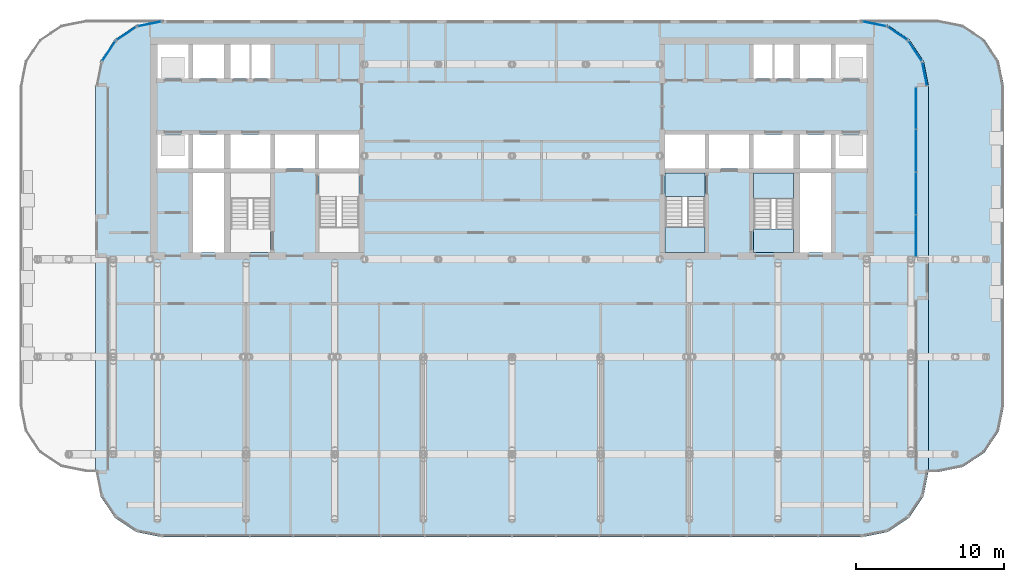
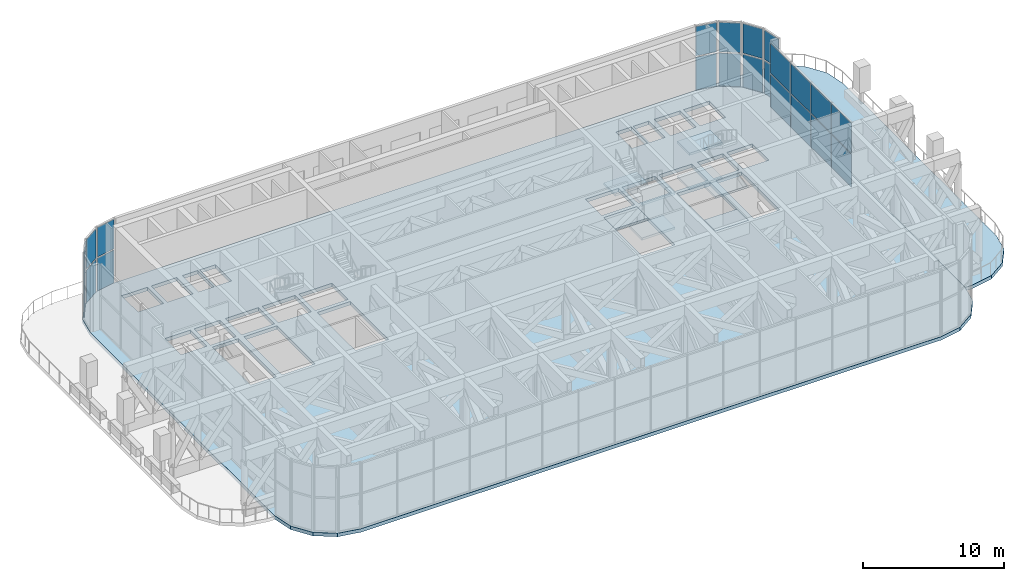
# One storey, part 14 of 25: 22 plates, 10 slabs, 10 elements without a shape of their own.
"""IFC4 building model written with IfcOpenShell, lengths in metres."""

from ifc_helpers import new_model, si_unit, direction, frame, origin, origin_2d, place, context, subcontext, project, spatial, polyline, rectangle, outline, extrude, material, layer, layer_set, type_object, element, aggregate, save


model = new_model("IFC4")

# Units and contexts
model_context = context("Model", 3, precision=1e-05, world=origin(), true_north=direction((0.0, 1.0)))
body_context = subcontext(model_context, "Body", "Model", "MODEL_VIEW")
ifc_project = project(units=[si_unit("LENGTHUNIT", "METRE"), si_unit("AREAUNIT", "SQUARE_METRE"), si_unit("VOLUMEUNIT", "CUBIC_METRE"), si_unit("PLANEANGLEUNIT", "RADIAN"), si_unit("MASSUNIT", "GRAM", prefix="KILO")], contexts=[model_context])

# Site, building, storey
site_placement = place(None, origin())
site = spatial("IfcSite", under=ifc_project, at=site_placement, CompositionType="ELEMENT")
building_placement = place(site_placement, origin())
building = spatial("IfcBuilding", under=site, at=building_placement, Name="Torana Hotel and Residences", CompositionType="ELEMENT")
storey_placement = place(building_placement, frame((0.0, 0.0, 106.800048828125)))
storey = spatial("IfcBuildingStorey", under=building, at=storey_placement, Name="L27", CompositionType="ELEMENT", Elevation=106.800048828125)

# Curtain wall, plates
ifc_material_1 = material(Name="Dark anodised aluminium", Category="aluminium")
ifc_layer_1 = layer(ifc_material_1, 0.199951171875)
ifc_layer_set_1 = layer_set([ifc_layer_1], Name="CW2 SKY LOBBY UNITISED CURTAIN WALL")
curtain_wall_type = type_object("IfcCurtainWallType", Name="CW2 SKY LOBBY UNITISED CURTAIN WALL", PredefinedType="NOTDEFINED", material=ifc_layer_set_1)
curtain_wall_1_placement = place(storey_placement, origin())
curtain_wall_1 = element("IfcCurtainWall", 1, at=curtain_wall_1_placement, inside=storey, type_object=curtain_wall_type, Name="Curtain wall CW2 L27 e0.0-1", PredefinedType="NOTDEFINED")
ifc_material_2 = material(Name="Glass dark tinted double glazed unit", Category="glass")
ifc_layer_2 = layer(ifc_material_2, 0.031982421875)
ifc_layer_set_2 = layer_set([ifc_layer_2], Name="CW2 DARK GLASS PANEL 32")
plate_type = type_object("IfcPlateType", Name="CW2 DARK GLASS PANEL 32", PredefinedType="CURTAIN_PANEL", material=ifc_layer_set_2)
plate_1_placement = place(storey_placement, frame((27.93310546875, -2.470703125, 0.1201171875), z_axis=(0.0, 0.0, 1.0), x_axis=(-0.195063848566, 0.980790545928, 0.0)))
plate_1 = element("IfcPlate", 2, at=plate_1_placement, type_object=plate_type, Name="CW2 panel 1.1", PredefinedType="CURTAIN_PANEL", context=body_context, shape_type="SweptSolid", body=[
    extrude(rectangle(XDim=1.54150390625, YDim=0.031982421875, at=origin_2d()), origin(), (0.0, 0.0, 1.0), 2.820068359375),
])
plate_2_placement = place(storey_placement, frame((27.93310546875, -2.470703125, 3.059814453125), z_axis=(0.0, 0.0, 1.0), x_axis=(-0.195063848566, 0.980790545928, 0.0)))
plate_2 = element("IfcPlate", 3, at=plate_2_placement, type_object=plate_type, Name="CW2 panel 1.2", PredefinedType="CURTAIN_PANEL", context=body_context, shape_type="SweptSolid", body=[
    extrude(rectangle(XDim=1.54150390625, YDim=0.031982421875, at=origin_2d()), origin(), (0.0, 0.0, 1.0), 2.5400390625),
])
aggregate(curtain_wall_1, [plate_1, plate_2])

curtain_wall_2_placement = place(storey_placement, origin())
curtain_wall_2 = element("IfcCurtainWall", 4, at=curtain_wall_2_placement, inside=storey, type_object=curtain_wall_type, Name="Curtain wall CW2 L27 e0.1-1", PredefinedType="NOTDEFINED")
plate_3_placement = place(storey_placement, frame((27.28662109375, -0.903564453125, 0.1201171875), z_axis=(0.0, 0.0, 1.0), x_axis=(-0.555563713278, 0.831473968618, 0.0)))
plate_3 = element("IfcPlate", 5, at=plate_3_placement, type_object=plate_type, Name="CW2 panel 1.1", PredefinedType="CURTAIN_PANEL", context=body_context, shape_type="SweptSolid", body=[
    extrude(rectangle(XDim=1.516357421875, YDim=0.031982421875, at=origin_2d()), origin(), (0.0, 0.0, 1.0), 2.820068359375),
])
plate_4_placement = place(storey_placement, frame((27.28662109375, -0.903564453125, 3.059814453125), z_axis=(0.0, 0.0, 1.0), x_axis=(-0.555563713278, 0.831473968618, 0.0)))
plate_4 = element("IfcPlate", 6, at=plate_4_placement, type_object=plate_type, Name="CW2 panel 1.2", PredefinedType="CURTAIN_PANEL", context=body_context, shape_type="SweptSolid", body=[
    extrude(rectangle(XDim=1.516357421875, YDim=0.031982421875, at=origin_2d()), origin(), (0.0, 0.0, 1.0), 2.5400390625),
])
aggregate(curtain_wall_2, [plate_3, plate_4])

curtain_wall_3_placement = place(storey_placement, origin())
curtain_wall_3 = element("IfcCurtainWall", 7, at=curtain_wall_3_placement, inside=storey, type_object=curtain_wall_type, Name="Curtain wall CW2 L27 e0.2-1", PredefinedType="NOTDEFINED")
plate_5_placement = place(storey_placement, frame((26.096435546875, 0.28662109375, 0.1201171875), z_axis=(0.0, 0.0, 1.0), x_axis=(-0.831473968618, 0.555563713278, 0.0)))
plate_5 = element("IfcPlate", 8, at=plate_5_placement, type_object=plate_type, Name="CW2 panel 1.1", PredefinedType="CURTAIN_PANEL", context=body_context, shape_type="SweptSolid", body=[
    extrude(rectangle(XDim=1.516357421875, YDim=0.031982421875, at=origin_2d()), origin(), (0.0, 0.0, 1.0), 2.820068359375),
])
plate_6_placement = place(storey_placement, frame((26.096435546875, 0.28662109375, 3.059814453125), z_axis=(0.0, 0.0, 1.0), x_axis=(-0.831473968618, 0.555563713278, 0.0)))
plate_6 = element("IfcPlate", 9, at=plate_6_placement, type_object=plate_type, Name="CW2 panel 1.2", PredefinedType="CURTAIN_PANEL", context=body_context, shape_type="SweptSolid", body=[
    extrude(rectangle(XDim=1.516357421875, YDim=0.031982421875, at=origin_2d()), origin(), (0.0, 0.0, 1.0), 2.5400390625),
])
aggregate(curtain_wall_3, [plate_5, plate_6])

curtain_wall_4_placement = place(storey_placement, origin())
curtain_wall_4 = element("IfcCurtainWall", 10, at=curtain_wall_4_placement, inside=storey, type_object=curtain_wall_type, Name="Curtain wall CW2 L27 e0.3-1", PredefinedType="NOTDEFINED")
plate_7_placement = place(storey_placement, frame((24.529296875, 0.93310546875, 0.1201171875), z_axis=(0.0, 0.0, 1.0), x_axis=(-0.980790545928, 0.195063848566, 0.0)))
plate_7 = element("IfcPlate", 11, at=plate_7_placement, type_object=plate_type, Name="CW2 panel 1.1", PredefinedType="CURTAIN_PANEL", context=body_context, shape_type="SweptSolid", body=[
    extrude(rectangle(XDim=1.54150390625, YDim=0.031982421875, at=origin_2d()), origin(), (0.0, 0.0, 1.0), 2.820068359375),
])
plate_8_placement = place(storey_placement, frame((24.529296875, 0.93310546875, 3.059814453125), z_axis=(0.0, 0.0, 1.0), x_axis=(-0.980790545928, 0.195063848566, 0.0)))
plate_8 = element("IfcPlate", 12, at=plate_8_placement, type_object=plate_type, Name="CW2 panel 1.2", PredefinedType="CURTAIN_PANEL", context=body_context, shape_type="SweptSolid", body=[
    extrude(rectangle(XDim=1.54150390625, YDim=0.031982421875, at=origin_2d()), origin(), (0.0, 0.0, 1.0), 2.5400390625),
])
aggregate(curtain_wall_4, [plate_7, plate_8])

curtain_wall_5_placement = place(storey_placement, origin())
curtain_wall_5 = element("IfcCurtainWall", 13, at=curtain_wall_5_placement, inside=storey, type_object=curtain_wall_type, Name="Curtain wall CW2 L27 e0.5-1", PredefinedType="NOTDEFINED")
plate_9_placement = place(storey_placement, frame((-24.529296875, 0.93310546875, 0.1201171875), z_axis=(0.0, 0.0, 1.0), x_axis=(-0.980790545928, -0.195063848566, 0.0)))
plate_9 = element("IfcPlate", 14, at=plate_9_placement, type_object=plate_type, Name="CW2 panel 1.1", PredefinedType="CURTAIN_PANEL", context=body_context, shape_type="SweptSolid", body=[
    extrude(rectangle(XDim=1.54150390625, YDim=0.031982421875, at=origin_2d()), origin(), (0.0, 0.0, 1.0), 2.820068359375),
])
plate_10_placement = place(storey_placement, frame((-24.529296875, 0.93310546875, 3.059814453125), z_axis=(0.0, 0.0, 1.0), x_axis=(-0.980790545928, -0.195063848566, 0.0)))
plate_10 = element("IfcPlate", 15, at=plate_10_placement, type_object=plate_type, Name="CW2 panel 1.2", PredefinedType="CURTAIN_PANEL", context=body_context, shape_type="SweptSolid", body=[
    extrude(rectangle(XDim=1.54150390625, YDim=0.031982421875, at=origin_2d()), origin(), (0.0, 0.0, 1.0), 2.5400390625),
])
aggregate(curtain_wall_5, [plate_9, plate_10])

curtain_wall_6_placement = place(storey_placement, origin())
curtain_wall_6 = element("IfcCurtainWall", 16, at=curtain_wall_6_placement, inside=storey, type_object=curtain_wall_type, Name="Curtain wall CW2 L27 e0.6-1", PredefinedType="NOTDEFINED")
plate_11_placement = place(storey_placement, frame((-26.096435546875, 0.28662109375, 0.1201171875), z_axis=(0.0, 0.0, 1.0), x_axis=(-0.831473968618, -0.555563713278, 0.0)))
plate_11 = element("IfcPlate", 17, at=plate_11_placement, type_object=plate_type, Name="CW2 panel 1.1", PredefinedType="CURTAIN_PANEL", context=body_context, shape_type="SweptSolid", body=[
    extrude(rectangle(XDim=1.516357421875, YDim=0.031982421875, at=origin_2d()), origin(), (0.0, 0.0, 1.0), 2.820068359375),
])
plate_12_placement = place(storey_placement, frame((-26.096435546875, 0.28662109375, 3.059814453125), z_axis=(0.0, 0.0, 1.0), x_axis=(-0.831473968618, -0.555563713278, 0.0)))
plate_12 = element("IfcPlate", 18, at=plate_12_placement, type_object=plate_type, Name="CW2 panel 1.2", PredefinedType="CURTAIN_PANEL", context=body_context, shape_type="SweptSolid", body=[
    extrude(rectangle(XDim=1.516357421875, YDim=0.031982421875, at=origin_2d()), origin(), (0.0, 0.0, 1.0), 2.5400390625),
])
aggregate(curtain_wall_6, [plate_11, plate_12])

curtain_wall_7_placement = place(storey_placement, origin())
curtain_wall_7 = element("IfcCurtainWall", 19, at=curtain_wall_7_placement, inside=storey, type_object=curtain_wall_type, Name="Curtain wall CW2 L27 e0.7-1", PredefinedType="NOTDEFINED")
plate_13_placement = place(storey_placement, frame((-27.28662109375, -0.903564453125, 0.1201171875), z_axis=(0.0, 0.0, 1.0), x_axis=(-0.555563713278, -0.831473968618, 0.0)))
plate_13 = element("IfcPlate", 20, at=plate_13_placement, type_object=plate_type, Name="CW2 panel 1.1", PredefinedType="CURTAIN_PANEL", context=body_context, shape_type="SweptSolid", body=[
    extrude(rectangle(XDim=1.516357421875, YDim=0.031982421875, at=origin_2d()), origin(), (0.0, 0.0, 1.0), 2.820068359375),
])
plate_14_placement = place(storey_placement, frame((-27.28662109375, -0.903564453125, 3.059814453125), z_axis=(0.0, 0.0, 1.0), x_axis=(-0.555563713278, -0.831473968618, 0.0)))
plate_14 = element("IfcPlate", 21, at=plate_14_placement, type_object=plate_type, Name="CW2 panel 1.2", PredefinedType="CURTAIN_PANEL", context=body_context, shape_type="SweptSolid", body=[
    extrude(rectangle(XDim=1.516357421875, YDim=0.031982421875, at=origin_2d()), origin(), (0.0, 0.0, 1.0), 2.5400390625),
])
aggregate(curtain_wall_7, [plate_13, plate_14])

curtain_wall_8_placement = place(storey_placement, origin())
curtain_wall_8 = element("IfcCurtainWall", 22, at=curtain_wall_8_placement, inside=storey, type_object=curtain_wall_type, Name="Curtain wall CW2 L27 e0.19-2", PredefinedType="NOTDEFINED")
plate_15_placement = place(storey_placement, frame((27.330078125, -13.399169921875, 0.1201171875), z_axis=(0.0, 0.0, 1.0), x_axis=(0.0, 1.0, 0.0)))
plate_15 = element("IfcPlate", 23, at=plate_15_placement, type_object=plate_type, Name="CW2 panel 1.1", PredefinedType="CURTAIN_PANEL", context=body_context, shape_type="SweptSolid", body=[
    extrude(rectangle(XDim=2.7783203125, YDim=0.031982421875, at=origin_2d()), origin(), (0.0, 0.0, 1.0), 2.820068359375),
])
plate_16_placement = place(storey_placement, frame((27.330078125, -13.399169921875, 3.059814453125), z_axis=(0.0, 0.0, 1.0), x_axis=(0.0, 1.0, 0.0)))
plate_16 = element("IfcPlate", 24, at=plate_16_placement, type_object=plate_type, Name="CW2 panel 1.2", PredefinedType="CURTAIN_PANEL", context=body_context, shape_type="SweptSolid", body=[
    extrude(rectangle(XDim=2.7783203125, YDim=0.031982421875, at=origin_2d()), origin(), (0.0, 0.0, 1.0), 2.5400390625),
])
plate_17_placement = place(storey_placement, frame((27.330078125, -10.533203125, 0.1201171875), z_axis=(0.0, 0.0, 1.0), x_axis=(0.0, 1.0, 0.0)))
plate_17 = element("IfcPlate", 25, at=plate_17_placement, type_object=plate_type, Name="CW2 panel 2.1", PredefinedType="CURTAIN_PANEL", context=body_context, shape_type="SweptSolid", body=[
    extrude(rectangle(XDim=2.8134765625, YDim=0.031982421875, at=origin_2d()), origin(), (0.0, 0.0, 1.0), 2.820068359375),
])
plate_18_placement = place(storey_placement, frame((27.330078125, -10.533203125, 3.059814453125), z_axis=(0.0, 0.0, 1.0), x_axis=(0.0, 1.0, 0.0)))
plate_18 = element("IfcPlate", 26, at=plate_18_placement, type_object=plate_type, Name="CW2 panel 2.2", PredefinedType="CURTAIN_PANEL", context=body_context, shape_type="SweptSolid", body=[
    extrude(rectangle(XDim=2.8134765625, YDim=0.031982421875, at=origin_2d()), origin(), (0.0, 0.0, 1.0), 2.5400390625),
])
plate_19_placement = place(storey_placement, frame((27.330078125, -7.649658203125, 0.1201171875), z_axis=(0.0, 0.0, 1.0), x_axis=(0.0, 1.0, 0.0)))
plate_19 = element("IfcPlate", 27, at=plate_19_placement, type_object=plate_type, Name="CW2 panel 3.1", PredefinedType="CURTAIN_PANEL", context=body_context, shape_type="SweptSolid", body=[
    extrude(rectangle(XDim=2.8134765625, YDim=0.031982421875, at=origin_2d()), origin(), (0.0, 0.0, 1.0), 2.820068359375),
])
plate_20_placement = place(storey_placement, frame((27.330078125, -7.649658203125, 3.059814453125), z_axis=(0.0, 0.0, 1.0), x_axis=(0.0, 1.0, 0.0)))
plate_20 = element("IfcPlate", 28, at=plate_20_placement, type_object=plate_type, Name="CW2 panel 3.2", PredefinedType="CURTAIN_PANEL", context=body_context, shape_type="SweptSolid", body=[
    extrude(rectangle(XDim=2.8134765625, YDim=0.031982421875, at=origin_2d()), origin(), (0.0, 0.0, 1.0), 2.5400390625),
])
plate_21_placement = place(storey_placement, frame((27.330078125, -4.78369140625, 0.1201171875), z_axis=(0.0, 0.0, 1.0), x_axis=(0.0, 1.0, 0.0)))
plate_21 = element("IfcPlate", 29, at=plate_21_placement, type_object=plate_type, Name="CW2 panel 4.1", PredefinedType="CURTAIN_PANEL", context=body_context, shape_type="SweptSolid", body=[
    extrude(rectangle(XDim=2.7783203125, YDim=0.031982421875, at=origin_2d()), origin(), (0.0, 0.0, 1.0), 2.820068359375),
])
plate_22_placement = place(storey_placement, frame((27.330078125, -4.78369140625, 3.059814453125), z_axis=(0.0, 0.0, 1.0), x_axis=(0.0, 1.0, 0.0)))
plate_22 = element("IfcPlate", 30, at=plate_22_placement, type_object=plate_type, Name="CW2 panel 4.2", PredefinedType="CURTAIN_PANEL", context=body_context, shape_type="SweptSolid", body=[
    extrude(rectangle(XDim=2.7783203125, YDim=0.031982421875, at=origin_2d()), origin(), (0.0, 0.0, 1.0), 2.5400390625),
])
aggregate(curtain_wall_8, [plate_15, plate_16, plate_17, plate_18, plate_19, plate_20, plate_21, plate_22])

# Slab
ifc_material_3 = material(Name="Concrete C40/50", Category="concrete")
ifc_layer_3 = layer(ifc_material_3, 0.300048828125)
ifc_layer_set_3 = layer_set([ifc_layer_3], Name="FLOOR SLAB PT 300")
slab_type_1 = type_object("IfcSlabType", Name="FLOOR SLAB PT 300", PredefinedType="FLOOR", material=ifc_layer_set_3)
slab_1_placement = place(storey_placement, frame((0.0, 0.0, -0.300048828125)))
element("IfcSlab", 31, at=slab_1_placement, inside=storey, type_object=slab_type_1, Name="Floor slab", PredefinedType="FLOOR", context=body_context, shape_type="SweptSolid", body=[
    extrude(outline(polyline([(28.199951171875, -3.300048828125), (27.857421875, -1.577880859375), (26.882080078125, -0.117919921875), (25.422119140625, 0.857421875), (23.699951171875, 1.199951171875), (-23.699951171875, 1.199951171875), (-25.422119140625, 0.857421875), (-26.882080078125, -0.117919921875), (-27.857421875, -1.577880859375), (-28.199951171875, -3.300048828125), (-28.199951171875, -29.300048828125), (-27.857421875, -31.022216796875), (-26.882080078125, -32.48193359375), (-25.422119140625, -33.45751953125), (-23.699951171875, -33.800048828125), (23.699951171875, -33.800048828125), (25.422119140625, -33.45751953125), (26.882080078125, -32.48193359375), (27.857421875, -31.022216796875), (28.199951171875, -29.300048828125), (28.199951171875, -3.300048828125)]), holes=[polyline([(-13.050048828125, -14.550048828125), (-10.35009765625, -14.550048828125), (-10.35009765625, -9.14990234375), (-13.050048828125, -9.14990234375), (-13.050048828125, -14.550048828125)]), polyline([(-19.050048828125, -14.550048828125), (-16.35009765625, -14.550048828125), (-16.35009765625, -9.14990234375), (-19.050048828125, -9.14990234375), (-19.050048828125, -14.550048828125)]), polyline([(-17.625, -2.75), (-16.35009765625, -2.75), (-16.35009765625, -0.449951171875), (-17.625, -0.449951171875), (-17.625, -2.75)]), polyline([(-19.050048828125, -2.75), (-17.77490234375, -2.75), (-17.77490234375, -0.449951171875), (-19.050048828125, -0.449951171875), (-19.050048828125, -2.75)]), polyline([(-21.60009765625, -2.75), (-19.5, -2.75), (-19.5, -0.449951171875), (-21.60009765625, -0.449951171875), (-21.60009765625, -2.75)]), polyline([(-21.60009765625, -8.85009765625), (-19.5, -8.85009765625), (-19.5, -6.550048828125), (-21.60009765625, -6.550048828125), (-21.60009765625, -8.85009765625)]), polyline([(-24.0, -2.75), (-21.89990234375, -2.75), (-21.89990234375, -0.449951171875), (-24.0, -0.449951171875), (-24.0, -2.75)]), polyline([(-24.0, -8.85009765625), (-21.89990234375, -8.85009765625), (-21.89990234375, -6.550048828125), (-24.0, -6.550048828125), (-24.0, -8.85009765625)]), polyline([(-13.050048828125, -8.85009765625), (-10.35009765625, -8.85009765625), (-10.35009765625, -6.550048828125), (-13.050048828125, -6.550048828125), (-13.050048828125, -8.85009765625)]), polyline([(-16.050048828125, -8.85009765625), (-13.35009765625, -8.85009765625), (-13.35009765625, -6.550048828125), (-16.050048828125, -6.550048828125), (-16.050048828125, -8.85009765625)]), polyline([(-19.050048828125, -8.85009765625), (-16.35009765625, -8.85009765625), (-16.35009765625, -6.550048828125), (-19.050048828125, -6.550048828125), (-19.050048828125, -8.85009765625)]), polyline([(-21.60009765625, -14.550048828125), (-19.5, -14.550048828125), (-19.5, -9.14990234375), (-21.60009765625, -9.14990234375), (-21.60009765625, -14.550048828125)]), polyline([(10.35009765625, -14.550048828125), (13.050048828125, -14.550048828125), (13.050048828125, -9.14990234375), (10.35009765625, -9.14990234375), (10.35009765625, -14.550048828125)]), polyline([(16.35009765625, -14.550048828125), (19.050048828125, -14.550048828125), (19.050048828125, -9.14990234375), (16.35009765625, -9.14990234375), (16.35009765625, -14.550048828125)]), polyline([(16.35009765625, -2.75), (17.625, -2.75), (17.625, -0.449951171875), (16.35009765625, -0.449951171875), (16.35009765625, -2.75)]), polyline([(17.77490234375, -2.75), (19.050048828125, -2.75), (19.050048828125, -0.449951171875), (17.77490234375, -0.449951171875), (17.77490234375, -2.75)]), polyline([(19.5, -2.75), (21.60009765625, -2.75), (21.60009765625, -0.449951171875), (19.5, -0.449951171875), (19.5, -2.75)]), polyline([(19.5, -8.85009765625), (21.60009765625, -8.85009765625), (21.60009765625, -6.550048828125), (19.5, -6.550048828125), (19.5, -8.85009765625)]), polyline([(21.89990234375, -2.75), (24.0, -2.75), (24.0, -0.449951171875), (21.89990234375, -0.449951171875), (21.89990234375, -2.75)]), polyline([(21.89990234375, -8.85009765625), (24.0, -8.85009765625), (24.0, -6.550048828125), (21.89990234375, -6.550048828125), (21.89990234375, -8.85009765625)]), polyline([(10.35009765625, -8.85009765625), (13.050048828125, -8.85009765625), (13.050048828125, -6.550048828125), (10.35009765625, -6.550048828125), (10.35009765625, -8.85009765625)]), polyline([(13.35009765625, -8.85009765625), (16.050048828125, -8.85009765625), (16.050048828125, -6.550048828125), (13.35009765625, -6.550048828125), (13.35009765625, -8.85009765625)]), polyline([(16.35009765625, -8.85009765625), (19.050048828125, -8.85009765625), (19.050048828125, -6.550048828125), (16.35009765625, -6.550048828125), (16.35009765625, -8.85009765625)]), polyline([(19.5, -14.550048828125), (21.60009765625, -14.550048828125), (21.60009765625, -9.14990234375), (19.5, -9.14990234375), (19.5, -14.550048828125)])]), origin(), (0.0, 0.0, 1.0), 0.300048828125),
])

# Stair, slabs
ifc_material_4 = material(Name="Concrete C40/50 precast", Category="concrete")
stair_type_1 = type_object("IfcStairType", Name="STAIR ST3 HALF TURN 1200", PredefinedType="HALF_TURN_STAIR", material=ifc_material_4)
stair_1_placement = place(storey_placement, origin())
stair_1 = element("IfcStair", 32, at=stair_1_placement, inside=storey, type_object=stair_type_1, Name="Stair ST3 L27", PredefinedType="HALF_TURN_STAIR")
ifc_material_5 = material(Name="Concrete C40/50 precast", Category="concrete")
ifc_layer_4 = layer(ifc_material_5, 0.199951171875)
ifc_layer_set_4 = layer_set([ifc_layer_4], Name="STAIR LANDING 200")
slab_type_2 = type_object("IfcSlabType", Name="STAIR LANDING 200", PredefinedType="LANDING", material=ifc_layer_set_4)
slab_2_placement = place(storey_placement, frame((0.0, 0.0, 1.300048828125)))
slab_2 = element("IfcSlab", 33, at=slab_2_placement, type_object=slab_type_2, Name="ST3 landing 1", PredefinedType="LANDING", context=body_context, shape_type="SweptSolid", body=[
    extrude(outline(polyline([(10.35009765625, -14.550048828125), (13.050048828125, -14.550048828125), (13.050048828125, -12.830078125), (10.35009765625, -12.830078125), (10.35009765625, -14.550048828125)])), origin(), (0.0, 0.0, 1.0), 0.199951171875),
])
slab_3_placement = place(storey_placement, frame((0.0, 0.0, -0.199951171875)))
slab_3 = element("IfcSlab", 34, at=slab_3_placement, type_object=slab_type_2, Name="ST3 landing 2", PredefinedType="LANDING", context=body_context, shape_type="SweptSolid", body=[
    extrude(outline(polyline([(10.35009765625, -10.75), (13.050048828125, -10.75), (13.050048828125, -9.14990234375), (10.35009765625, -9.14990234375), (10.35009765625, -10.75)])), origin(), (0.0, 0.0, 1.0), 0.199951171875),
])
slab_4_placement = place(storey_placement, frame((0.0, 0.0, 4.300048828125)))
slab_4 = element("IfcSlab", 35, at=slab_4_placement, type_object=slab_type_2, Name="ST3 landing 3", PredefinedType="LANDING", context=body_context, shape_type="SweptSolid", body=[
    extrude(outline(polyline([(10.35009765625, -14.550048828125), (13.050048828125, -14.550048828125), (13.050048828125, -12.830078125), (10.35009765625, -12.830078125), (10.35009765625, -14.550048828125)])), origin(), (0.0, 0.0, 1.0), 0.199951171875),
])
slab_5_placement = place(storey_placement, frame((0.0, 0.0, 2.800048828125)))
slab_5 = element("IfcSlab", 36, at=slab_5_placement, type_object=slab_type_2, Name="ST3 landing 4", PredefinedType="LANDING", context=body_context, shape_type="SweptSolid", body=[
    extrude(outline(polyline([(10.35009765625, -10.75), (13.050048828125, -10.75), (13.050048828125, -9.14990234375), (10.35009765625, -9.14990234375), (10.35009765625, -10.75)])), origin(), (0.0, 0.0, 1.0), 0.199951171875),
])
aggregate(stair_1, [slab_2, slab_3, slab_4, slab_5])

ifc_material_6 = material(Name="Concrete C40/50 precast", Category="concrete")
stair_type_2 = type_object("IfcStairType", Name="STAIR ST4 HALF TURN 1200", PredefinedType="HALF_TURN_STAIR", material=ifc_material_6)
stair_2_placement = place(storey_placement, origin())
stair_2 = element("IfcStair", 37, at=stair_2_placement, inside=storey, type_object=stair_type_2, Name="Stair ST4 L27", PredefinedType="HALF_TURN_STAIR")
slab_6_placement = place(storey_placement, frame((0.0, 0.0, 1.300048828125)))
slab_6 = element("IfcSlab", 38, at=slab_6_placement, type_object=slab_type_2, Name="ST4 landing 1", PredefinedType="LANDING", context=body_context, shape_type="SweptSolid", body=[
    extrude(outline(polyline([(16.35009765625, -10.8701171875), (19.050048828125, -10.8701171875), (19.050048828125, -9.14990234375), (16.35009765625, -9.14990234375), (16.35009765625, -10.8701171875)])), origin(), (0.0, 0.0, 1.0), 0.199951171875),
])
slab_7_placement = place(storey_placement, frame((0.0, 0.0, -0.199951171875)))
slab_7 = element("IfcSlab", 39, at=slab_7_placement, type_object=slab_type_2, Name="ST4 landing 2", PredefinedType="LANDING", context=body_context, shape_type="SweptSolid", body=[
    extrude(outline(polyline([(16.35009765625, -14.550048828125), (19.050048828125, -14.550048828125), (19.050048828125, -12.949951171875), (16.35009765625, -12.949951171875), (16.35009765625, -14.550048828125)])), origin(), (0.0, 0.0, 1.0), 0.199951171875),
])
slab_8_placement = place(storey_placement, frame((0.0, 0.0, 4.300048828125)))
slab_8 = element("IfcSlab", 40, at=slab_8_placement, type_object=slab_type_2, Name="ST4 landing 3", PredefinedType="LANDING", context=body_context, shape_type="SweptSolid", body=[
    extrude(outline(polyline([(16.35009765625, -10.8701171875), (19.050048828125, -10.8701171875), (19.050048828125, -9.14990234375), (16.35009765625, -9.14990234375), (16.35009765625, -10.8701171875)])), origin(), (0.0, 0.0, 1.0), 0.199951171875),
])
slab_9_placement = place(storey_placement, frame((0.0, 0.0, 2.800048828125)))
slab_9 = element("IfcSlab", 41, at=slab_9_placement, type_object=slab_type_2, Name="ST4 landing 4", PredefinedType="LANDING", context=body_context, shape_type="SweptSolid", body=[
    extrude(outline(polyline([(16.35009765625, -14.550048828125), (19.050048828125, -14.550048828125), (19.050048828125, -12.949951171875), (16.35009765625, -12.949951171875), (16.35009765625, -14.550048828125)])), origin(), (0.0, 0.0, 1.0), 0.199951171875),
])
aggregate(stair_2, [slab_6, slab_7, slab_8, slab_9])

# Slab
ifc_material_7 = material(Name="Concrete C40/50", Category="concrete")
ifc_layer_5 = layer(ifc_material_7, 0.300048828125)
ifc_layer_set_5 = layer_set([ifc_layer_5], Name="TR1 TERRACE SLAB 300")
slab_type_3 = type_object("IfcSlabType", Name="TR1 TERRACE SLAB 300", PredefinedType="USERDEFINED", material=ifc_layer_set_5)
slab_10_placement = place(storey_placement, frame((0.0, 0.0, -0.300048828125)))
element("IfcSlab", 42, at=slab_10_placement, inside=storey, type_object=slab_type_3, Name="Terrace L27 1", ObjectType="TERRACE", PredefinedType="USERDEFINED", context=body_context, shape_type="SweptSolid", body=[
    extrude(outline(polyline([(28.800048828125, 1.199951171875), (30.522216796875, 0.857421875), (31.98193359375, -0.117919921875), (32.95751953125, -1.577880859375), (33.300048828125, -3.300048828125), (33.300048828125, -24.89990234375), (32.95751953125, -26.6220703125), (31.98193359375, -28.08203125), (30.522216796875, -29.0576171875), (28.800048828125, -29.39990234375), (28.18115234375, -29.39990234375), (28.200927734375, -29.30029296875), (28.200927734375, -29.300048828125), (28.200927734375, -29.300048828125), (28.200927734375, -3.300048828125), (28.200927734375, -3.2998046875), (28.200927734375, -3.2998046875), (27.8583984375, -1.57763671875), (27.8583984375, -1.57763671875), (27.8583984375, -1.577392578125), (27.8583984375, -1.577392578125), (27.8583984375, -1.577392578125), (26.8828125, -0.117431640625), (26.8828125, -0.117431640625), (26.8828125, -0.1171875), (26.882568359375, -0.1171875), (26.882568359375, -0.1171875), (25.422607421875, 0.8583984375), (25.422607421875, 0.8583984375), (25.422607421875, 0.8583984375), (25.42236328125, 0.8583984375), (25.42236328125, 0.8583984375), (23.705078125, 1.199951171875), (28.800048828125, 1.199951171875)])), origin(), (0.0, 0.0, 1.0), 0.300048828125),
])

save(model, "model.ifc")
